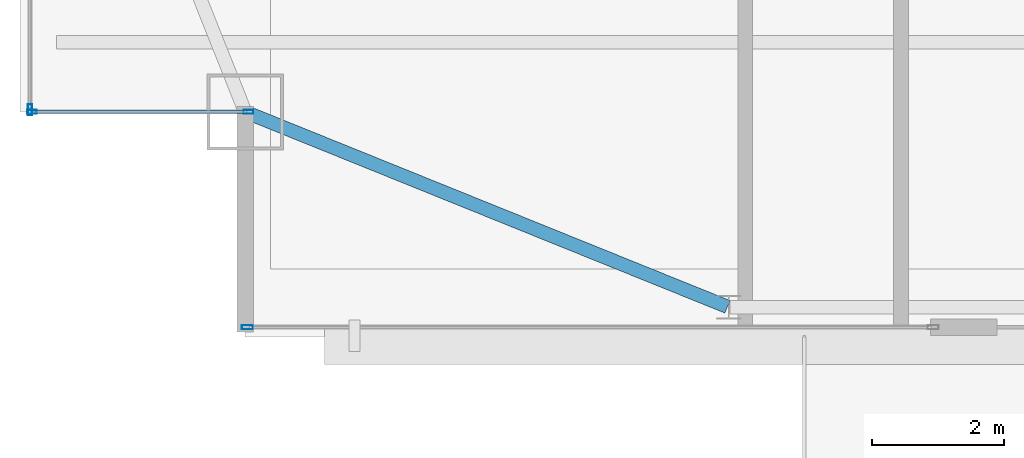
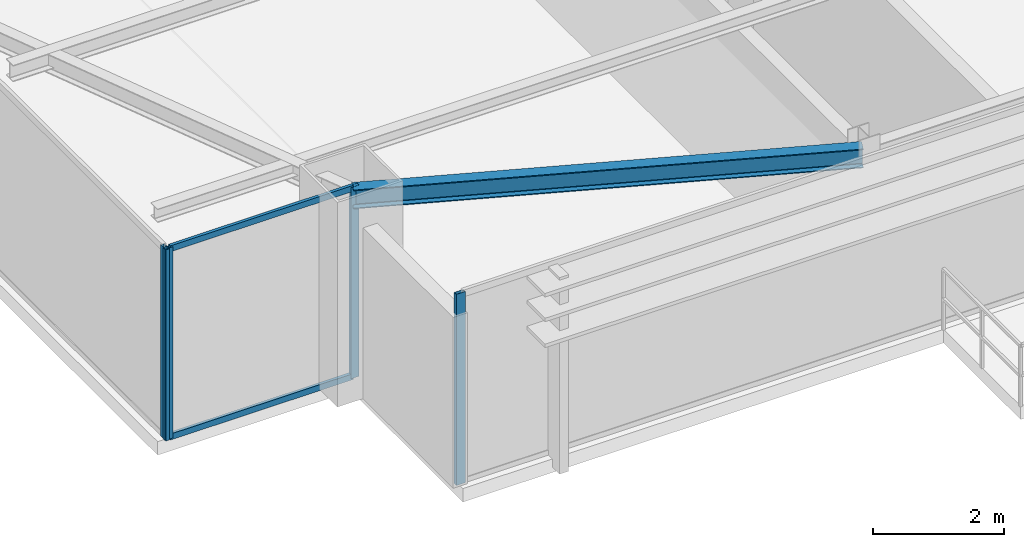
# One storey, part 4 of 31: 6 members, 1 beam, 3 elements without a shape of their own.
"""IFC4 building model written with IfcOpenShell, lengths in metres."""

from ifc_helpers import new_model, si_unit, direction, frame, origin, origin_2d, place, context, subcontext, project, spatial, hollow_rectangle, i_section, extrude, source, transform, mapped, material, layer, layer_set, material_profile, profile_set, type_object, type_shapes, element, aggregate, save


model = new_model("IFC4")

# Units and contexts
model_context = context("Model", 3, precision=1e-05, world=origin(), true_north=direction((0.0, 1.0)))
body_context = subcontext(model_context, "Body", "Model", "MODEL_VIEW")
ifc_project = project(units=[si_unit("LENGTHUNIT", "METRE"), si_unit("AREAUNIT", "SQUARE_METRE"), si_unit("VOLUMEUNIT", "CUBIC_METRE"), si_unit("PLANEANGLEUNIT", "RADIAN"), si_unit("MASSUNIT", "GRAM", prefix="KILO")], contexts=[model_context])

# Site, building, storey
site_placement = place(None, origin())
site = spatial("IfcSite", under=ifc_project, at=site_placement, CompositionType="ELEMENT")
building_placement = place(site_placement, origin())
building = spatial("IfcBuilding", under=site, at=building_placement, Name="Varnel Quay Broadcast Tower", CompositionType="ELEMENT")
storey_placement = place(building_placement, frame((0.0, 0.0, 239.39990234375)))
storey = spatial("IfcBuildingStorey", under=building, at=storey_placement, Name="L59", CompositionType="ELEMENT", Elevation=239.39990234375)

# Beam
ifc_material_1 = material(Name="Structural Steel CSA G40.21 350W", Category="steel")
ifc_material_profile_1 = material_profile(ifc_material_1, i_section(OverallWidth=0.205078125, OverallDepth=0.35400390625, WebThickness=0.009521484375, FlangeThickness=0.016845703125, FilletRadius=0.012939453125, at=origin_2d()), Name="W360X79")
ifc_profile_set_1 = profile_set([ifc_material_profile_1], Name="Structural Steel CSA G40.21 350W")
beam_type = type_object("IfcBeamType", Name="Beam_W360X79", PredefinedType="SPANDREL", material=ifc_profile_set_1)
shared_shape_1 = source(origin(), body_context, "Body", "SweptSolid", [
    extrude(i_section(OverallWidth=0.205078125, OverallDepth=0.35400390625, WebThickness=0.009521484375, FlangeThickness=0.016845703125, FilletRadius=0.012939453125, at=origin_2d()), origin(), (0.0, 0.0, 1.0), 7.83349609375),
])
type_shapes(beam_type, [shared_shape_1])
beam_placement = place(storey_placement, frame((12.91845703125, 13.592529296875, 3.373046875), z_axis=(0.927155449606, -0.374676890489, 0.0), x_axis=(0.374676890489, 0.927155449606, 0.0)))
element("IfcBeam", 1, at=beam_placement, inside=storey, type_object=beam_type, Name="L59 South Spandrel MC-SW-TC-S1", PredefinedType="SPANDREL", context=body_context, shape_type="MappedRepresentation", body=[
    mapped(shared_shape_1, transform((0.0, 0.0, 0.0), x_axis=(1.0, 0.0, 0.0), y_axis=(0.0, 1.0, 0.0), z_axis=(0.0, 0.0, 1.0), scale=1.0)),
])

# Curtain wall, members
ifc_material_2 = material(Name="Anodised Bronze Aluminium 6063-T6", Category="aluminium")
ifc_layer_1 = layer(ifc_material_2, 0.18994140625, Name="Anodised Bronze Aluminium 6063-T6")
ifc_layer_set_1 = layer_set([ifc_layer_1], Name="Anodised Bronze Aluminium 6063-T6")
curtain_wall_type_1 = type_object("IfcCurtainWallType", Name="CW_NotchCorner", PredefinedType="NOTDEFINED", material=ifc_layer_set_1)
curtain_wall_1_placement = place(storey_placement, origin())
curtain_wall_1 = element("IfcCurtainWall", 2, at=curtain_wall_1_placement, inside=storey, type_object=curtain_wall_type_1, Name="L59 SW Notch Curtain Wall", PredefinedType="NOTDEFINED")
ifc_material_profile_2 = material_profile(ifc_material_2, hollow_rectangle(XDim=0.06005859375, YDim=0.14501953125, WallThickness=0.00341796875, at=origin_2d()), Name="ALU60X145X3.5")
ifc_profile_set_2 = profile_set([ifc_material_profile_2], Name="Anodised Bronze Aluminium 6063-T6")
member_type_1 = type_object("IfcMemberType", Name="Mull_CWS-04", PredefinedType="MULLION", material=ifc_profile_set_2)
shared_shape_2 = source(origin(), body_context, "Body", "SweptSolid", [
    extrude(hollow_rectangle(XDim=0.06005859375, YDim=0.14501953125, WallThickness=0.00341796875, at=origin_2d()), origin(), (0.0, 0.0, 1.0), 3.550048828125),
])
type_shapes(member_type_1, [shared_shape_2])
member_1_placement = place(storey_placement, frame((9.679931640625, 13.60009765625, 0.0), z_axis=(0.0, 0.0, 1.0), x_axis=(0.0, 1.0, 0.0)))
member_1 = element("IfcMember", 3, at=member_1_placement, type_object=member_type_1, Name="CWS-04 mullion 1", PredefinedType="MULLION", context=body_context, shape_type="MappedRepresentation", body=[
    mapped(shared_shape_2, transform((0.0, 0.0, 0.0), x_axis=(1.0, 0.0, 0.0), y_axis=(0.0, 1.0, 0.0), z_axis=(0.0, 0.0, 1.0), scale=1.0)),
])
member_2_placement = place(storey_placement, frame((12.949951171875, 13.60009765625, 0.0), z_axis=(0.0, 0.0, 1.0), x_axis=(0.0, 1.0, 0.0)))
member_2 = element("IfcMember", 4, at=member_2_placement, type_object=member_type_1, Name="CWS-04 mullion 2", PredefinedType="MULLION", context=body_context, shape_type="MappedRepresentation", body=[
    mapped(shared_shape_2, transform((0.0, 0.0, 0.0), x_axis=(1.0, 0.0, 0.0), y_axis=(0.0, 1.0, 0.0), z_axis=(0.0, 0.0, 1.0), scale=1.0)),
])

# Curtain wall, member
ifc_layer_2 = layer(ifc_material_2, 0.18994140625, Name="Anodised Bronze Aluminium 6063-T6")
ifc_layer_set_2 = layer_set([ifc_layer_2], Name="Anodised Bronze Aluminium 6063-T6")
curtain_wall_type_2 = type_object("IfcCurtainWallType", Name="CW_UpperTower", PredefinedType="NOTDEFINED", material=ifc_layer_set_2)
curtain_wall_2_placement = place(storey_placement, origin())
curtain_wall_2 = element("IfcCurtainWall", 5, at=curtain_wall_2_placement, inside=storey, type_object=curtain_wall_type_2, Name="L59 South Unitised Curtain Wall 1", PredefinedType="NOTDEFINED")
ifc_material_profile_3 = material_profile(ifc_material_2, hollow_rectangle(XDim=0.06494140625, YDim=0.1650390625, WallThickness=0.00341796875, at=origin_2d()), Name="ALU65X165X3.5")
ifc_profile_set_3 = profile_set([ifc_material_profile_3], Name="Anodised Bronze Aluminium 6063-T6")
member_type_2 = type_object("IfcMemberType", Name="Mull_CWS-03", PredefinedType="MULLION", material=ifc_profile_set_3)
shared_shape_3 = source(origin(), body_context, "Body", "SweptSolid", [
    extrude(hollow_rectangle(XDim=0.06494140625, YDim=0.1650390625, WallThickness=0.00341796875, at=origin_2d()), origin(), (0.0, 0.0, 1.0), 3.550048828125),
])
type_shapes(member_type_2, [shared_shape_3])
member_3_placement = place(storey_placement, frame((12.9326171875, 10.35009765625, 0.0), z_axis=(0.0, 0.0, 1.0), x_axis=(0.0, 1.0, 0.0)))
member_3 = element("IfcMember", 6, at=member_3_placement, type_object=member_type_2, Name="CWS-03 mullion 1", PredefinedType="MULLION", context=body_context, shape_type="MappedRepresentation", body=[
    mapped(shared_shape_3, transform((0.0, 0.0, 0.0), x_axis=(1.0, 0.0, 0.0), y_axis=(0.0, 1.0, 0.0), z_axis=(0.0, 0.0, 1.0), scale=1.0)),
])
aggregate(curtain_wall_2, [member_3])

curtain_wall_3_placement = place(storey_placement, origin())
curtain_wall_3 = element("IfcCurtainWall", 7, at=curtain_wall_3_placement, inside=storey, type_object=curtain_wall_type_2, Name="L59 West Unitised Curtain Wall", PredefinedType="NOTDEFINED")
member_4_placement = place(storey_placement, frame((9.64990234375, 13.632568359375, 0.0), z_axis=(0.0, 0.0, 1.0), x_axis=(-1.0, 0.0, 0.0)))
member_4 = element("IfcMember", 8, at=member_4_placement, type_object=member_type_2, Name="CWS-03 mullion 1", PredefinedType="MULLION", context=body_context, shape_type="MappedRepresentation", body=[
    mapped(shared_shape_3, transform((0.0, 0.0, 0.0), x_axis=(1.0, 0.0, 0.0), y_axis=(0.0, 1.0, 0.0), z_axis=(0.0, 0.0, 1.0), scale=1.0)),
])
aggregate(curtain_wall_3, [member_4])

# Member
ifc_material_profile_4 = material_profile(ifc_material_2, hollow_rectangle(XDim=0.054931640625, YDim=0.110107421875, WallThickness=0.0029296875, at=origin_2d()), Name="ALU55X110X3")
ifc_profile_set_4 = profile_set([ifc_material_profile_4], Name="Anodised Bronze Aluminium 6063-T6")
member_type_3 = type_object("IfcMemberType", Name="Tran_CWS-04", PredefinedType="USERDEFINED", material=ifc_profile_set_4)
shared_shape_4 = source(origin(), body_context, "Body", "SweptSolid", [
    extrude(hollow_rectangle(XDim=0.054931640625, YDim=0.110107421875, WallThickness=0.0029296875, at=origin_2d()), origin(), (0.0, 0.0, 1.0), 3.2099609375),
])
type_shapes(member_type_3, [shared_shape_4])
member_5_placement = place(storey_placement, frame((9.7099609375, 13.60009765625, 0.027587890625), z_axis=(1.0, 0.0, 0.0), x_axis=(0.0, 1.0, 0.0)))
member_5 = element("IfcMember", 9, at=member_5_placement, type_object=member_type_3, Name="CWS-04 transom 1.1", ObjectType="TRANSOM", PredefinedType="USERDEFINED", context=body_context, shape_type="MappedRepresentation", body=[
    mapped(shared_shape_4, transform((0.0, 0.0, 0.0), x_axis=(1.0, 0.0, 0.0), y_axis=(0.0, 1.0, 0.0), z_axis=(0.0, 0.0, 1.0), scale=1.0)),
])

member_6_placement = place(storey_placement, frame((9.7099609375, 13.60009765625, 3.522705078125), z_axis=(1.0, 0.0, 0.0), x_axis=(0.0, 1.0, 0.0)))
member_6 = element("IfcMember", 10, at=member_6_placement, type_object=member_type_3, Name="CWS-04 transom 1.2", ObjectType="TRANSOM", PredefinedType="USERDEFINED", context=body_context, shape_type="MappedRepresentation", body=[
    mapped(shared_shape_4, transform((0.0, 0.0, 0.0), x_axis=(1.0, 0.0, 0.0), y_axis=(0.0, 1.0, 0.0), z_axis=(0.0, 0.0, 1.0), scale=1.0)),
])

aggregate(curtain_wall_1, [member_1, member_2, member_5, member_6])

save(model, "model.ifc")
